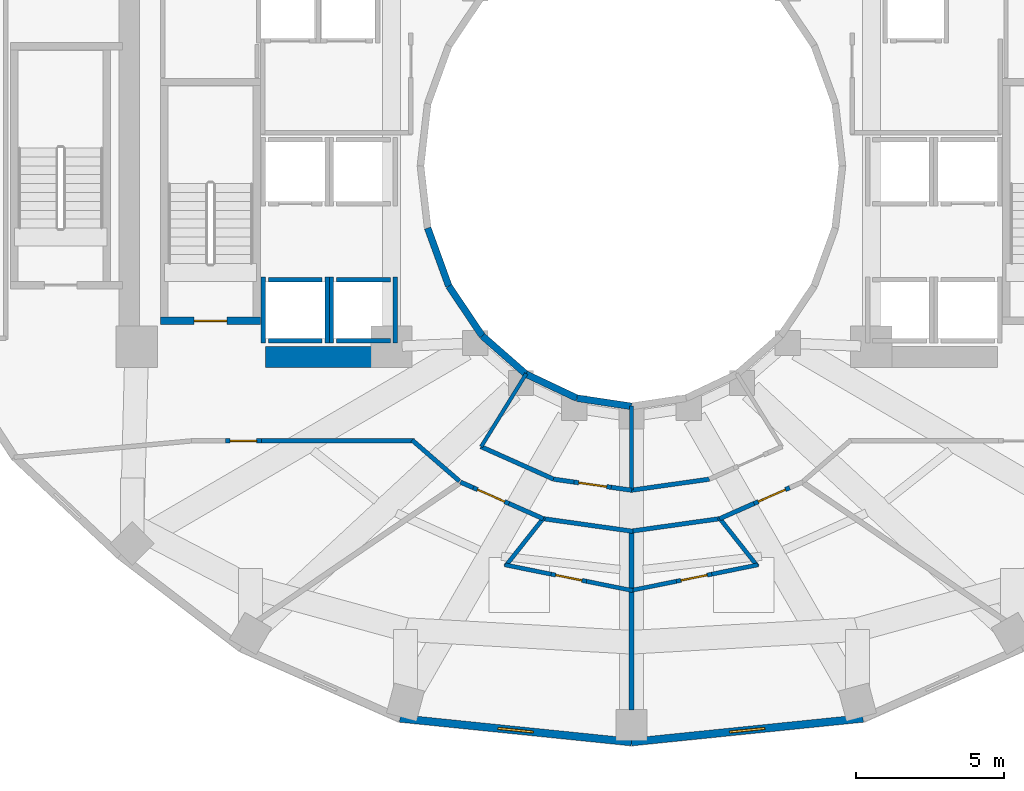
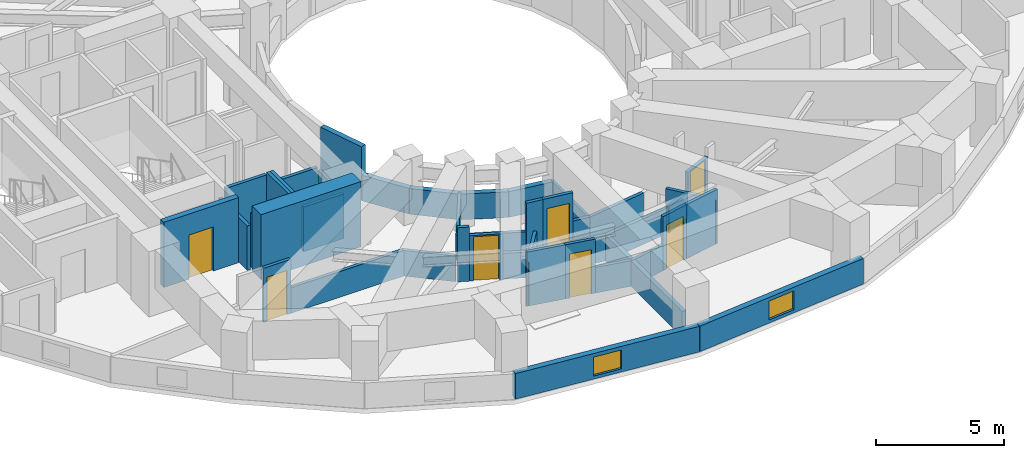
# One storey, part 3 of 9: 43 walls, 7 doors, 2 windows, 9 openings.
"""IFC4 building model written with IfcOpenShell, lengths in metres."""

from ifc_helpers import new_model, si_unit, direction, frame, frame_2d, origin, place, context, subcontext, project, spatial, rectangle, extrude, material, layer, layer_set, type_object, element, fill, save


model = new_model("IFC4")

# Units and contexts
model_context = context("Model", 3, precision=1e-05, world=origin(), true_north=direction((0.0, 1.0)))
body_context = subcontext(model_context, "Body", "Model", "MODEL_VIEW")
ifc_project = project(units=[si_unit("LENGTHUNIT", "METRE"), si_unit("AREAUNIT", "SQUARE_METRE"), si_unit("VOLUMEUNIT", "CUBIC_METRE"), si_unit("PLANEANGLEUNIT", "RADIAN"), si_unit("MASSUNIT", "GRAM", prefix="KILO")], contexts=[model_context])

# Site, building, storey
site_placement = place(None, origin())
site = spatial("IfcSite", under=ifc_project, at=site_placement, CompositionType="ELEMENT")
building_placement = place(site_placement, origin())
building = spatial("IfcBuilding", under=site, at=building_placement, Name="Solvane Sanctuary Tower", CompositionType="ELEMENT")
storey_placement = place(building_placement, frame((0.0, 0.0, 110.39990234375)))
storey = spatial("IfcBuildingStorey", under=building, at=storey_placement, Name="L33", CompositionType="ELEMENT", Elevation=110.39990234375)

# Walls
ifc_material_1 = material(Name="Concrete C60/75", Category="concrete")
ifc_layer_1 = layer(ifc_material_1, 0.699951171875, Name="Concrete C60/75")
ifc_layer_set_1 = layer_set([ifc_layer_1], Name="Concrete C60/75")
wall_type_1 = type_object("IfcWallType", Name="Wall W-CORE-700", PredefinedType="SHEAR", material=ifc_layer_set_1)
wall_1_placement = place(storey_placement, frame((19.64990234375, 16.550048828125, 0.0), z_axis=(0.0, 0.0, 1.0), x_axis=(1.0, 0.0, 0.0)))
element("IfcWall", 1, at=wall_1_placement, inside=storey, type_object=wall_type_1, Name="L33 Core Shear Wall WC-S", PredefinedType="SHEAR", context=body_context, shape_type="SweptSolid", body=[
    extrude(rectangle(XDim=4.5, YDim=0.699951171875, at=frame_2d((2.25, 0.0))), origin(), (0.0, 0.0, 1.0), 3.10009765625),
])
ifc_material_2 = material(Name="Acoustic Gypsum Partition Board")
ifc_layer_2 = layer(ifc_material_2, 0.14990234375, Name="Acoustic Gypsum Partition Board")
ifc_layer_set_2 = layer_set([ifc_layer_2], Name="Acoustic Gypsum Partition Board")
wall_type_2 = type_object("IfcWallType", Name="Wall W-CORR-150", PredefinedType="PARTITIONING", material=ifc_layer_set_2)
wall_2_placement = place(storey_placement, frame((26.193359375, 12.35791015625, 0.0), z_axis=(0.0, 0.0, 1.0), x_axis=(-0.756055312247, 0.654507727092, 0.0)))
element("IfcWall", 2, at=wall_2_placement, inside=storey, type_object=wall_type_2, Name="L33 SW Corner Throat Wall", PredefinedType="PARTITIONING", context=body_context, shape_type="SweptSolid", body=[
    extrude(rectangle(XDim=2.11083984375, YDim=0.14990234375, at=frame_2d((1.055419921875, 0.0))), origin(), (0.0, 0.0, 1.0), 1.22021484375),
])

# Wall, opening, door
wall_3_placement = place(storey_placement, frame((18.2900390625, 13.719970703125, 0.0), z_axis=(0.0, 0.0, 1.0), x_axis=(1.0, 0.0, 0.0)))
wall_3 = element("IfcWall", 3, at=wall_3_placement, inside=storey, type_object=wall_type_2, Name="L33 SW Corner Corridor Wall", PredefinedType="PARTITIONING", context=body_context, shape_type="SweptSolid", body=[
    extrude(rectangle(XDim=1.219970703125, YDim=0.14990234375, at=frame_2d((0.60986328125, 0.0))), origin(), (0.0, 0.0, 1.0), 2.5751953125),
])
opening_1_placement = place(wall_3_placement, frame((0.159912109375, 0.0, 0.0)))
opening_1 = element("IfcOpeningElement", 4, at=opening_1_placement, cuts=wall_3, Name="Opening D-L33-13", PredefinedType="OPENING", context=body_context, shape_type="SweptSolid", body=[
    extrude(rectangle(XDim=0.89990234375, YDim=2.10009765625, at=frame_2d((0.449951171875, 1.050048828125))), frame((0.0, 0.0849609375, 0.0), z_axis=(0.0, -1.0, 0.0), x_axis=(1.0, 0.0, 0.0)), (0.0, 0.0, 1.0), 0.169921875),
])
ifc_material_3 = material(Name="Engineered Tropical Hardwood", Category="wood")
door_type_1 = type_object("IfcDoorType", Name="Door D-WET-900", OperationType="NOTDEFINED", PredefinedType="DOOR", material=ifc_material_3)
door_1_placement = place(opening_1_placement, origin())
door_1 = element("IfcDoor", 5, at=door_1_placement, inside=storey, type_object=door_type_1, Name="L33 SW Corner Salon Door", OperationType="SINGLE_SWING_RIGHT", OverallHeight=2.10009765625, OverallWidth=0.89990234375, PredefinedType="DOOR", context=body_context, shape_type="SweptSolid", body=[
    extrude(rectangle(XDim=0.89990234375, YDim=2.10009765625, at=frame_2d((0.449951171875, 1.050048828125))), frame((0.0, 0.02490234375, 0.0), z_axis=(0.0, -1.0, 0.0), x_axis=(1.0, 0.0, 0.0)), (0.0, 0.0, 1.0), 0.050048828125),
])
fill(opening_1, door_1)

# Walls
wall_4_placement = place(storey_placement, frame((19.510009765625, 13.719970703125, 0.0), z_axis=(0.0, 0.0, 1.0), x_axis=(1.0, 0.0, 0.0)))
element("IfcWall", 6, at=wall_4_placement, inside=storey, type_object=wall_type_2, Name="L33 SW Corner Corridor Wall", PredefinedType="PARTITIONING", context=body_context, shape_type="SweptSolid", body=[
    extrude(rectangle(XDim=5.159912109375, YDim=0.14990234375, at=frame_2d((2.580078125, 0.0))), origin(), (0.0, 0.0, 1.0), 1.22021484375),
])
wall_5_placement = place(storey_placement, frame((26.9189453125, 13.520751953125, 0.0), z_axis=(0.0, 0.0, 1.0), x_axis=(0.912888568324, -0.408208845842, 0.0)))
element("IfcWall", 7, at=wall_5_placement, inside=storey, type_object=wall_type_2, Name="L33 Inner Light-Well Corridor Wall S1", PredefinedType="PARTITIONING", context=body_context, shape_type="SweptSolid", body=[
    extrude(rectangle(XDim=2.690185546875, YDim=0.14990234375, at=frame_2d((1.34521484375, 0.0))), origin(), (0.0, 0.0, 1.0), 1.22021484375),
])
wall_6_placement = place(storey_placement, frame((29.371337890625, 12.423583984375, 0.0), z_axis=(0.0, 0.0, 1.0), x_axis=(0.990110185172, -0.1402919143, 0.0)))
element("IfcWall", 8, at=wall_6_placement, inside=storey, type_object=wall_type_2, Name="L33 Inner Light-Well Corridor Wall S1", PredefinedType="PARTITIONING", context=body_context, shape_type="SweptSolid", body=[
    extrude(rectangle(XDim=0.696044921875, YDim=0.14990234375, at=frame_2d((0.34814453125, 0.0))), origin(), (0.0, 0.0, 1.0), 2.5751953125),
])

# Wall, opening, door
wall_7_placement = place(storey_placement, frame((30.060546875, 12.325927734375, 0.0), z_axis=(0.0, 0.0, 1.0), x_axis=(0.990102710588, -0.140344656064, 0.0)))
wall_7 = element("IfcWall", 9, at=wall_7_placement, inside=storey, type_object=wall_type_2, Name="L33 Inner Light-Well Corridor Wall S1", PredefinedType="PARTITIONING", context=body_context, shape_type="SweptSolid", body=[
    extrude(rectangle(XDim=1.269775390625, YDim=0.14990234375, at=frame_2d((0.634765625, 0.0))), origin(), (0.0, 0.0, 1.0), 2.5751953125),
])
opening_2_placement = place(wall_7_placement, frame((0.159912109375, 0.0, 0.0)))
opening_2 = element("IfcOpeningElement", 10, at=opening_2_placement, cuts=wall_7, Name="Opening D-L33-15", PredefinedType="OPENING", context=body_context, shape_type="SweptSolid", body=[
    extrude(rectangle(XDim=0.949951171875, YDim=2.10009765625, at=frame_2d((0.47509765625, 1.050048828125))), frame((0.0, 0.0849609375, 0.0), z_axis=(0.0, -1.0, 0.0), x_axis=(1.0, 0.0, 0.0)), (0.0, 0.0, 1.0), 0.169921875),
])
door_type_2 = type_object("IfcDoorType", Name="Door D-ROOM-950", OperationType="NOTDEFINED", PredefinedType="DOOR", material=ifc_material_3)
door_2_placement = place(opening_2_placement, origin())
door_2 = element("IfcDoor", 11, at=door_2_placement, inside=storey, type_object=door_type_2, Name="L33 Inner Light-Well Salon Door S1", OperationType="SINGLE_SWING_RIGHT", OverallHeight=2.10009765625, OverallWidth=0.949951171875, PredefinedType="DOOR", context=body_context, shape_type="SweptSolid", body=[
    extrude(rectangle(XDim=0.949951171875, YDim=2.10009765625, at=frame_2d((0.47509765625, 1.050048828125))), frame((0.0, 0.02490234375, 0.0), z_axis=(0.0, -1.0, 0.0), x_axis=(1.0, 0.0, 0.0)), (0.0, 0.0, 1.0), 0.050048828125),
])
fill(opening_2, door_2)

# Walls
wall_8_placement = place(storey_placement, frame((31.31787109375, 12.147705078125, 0.0), z_axis=(0.0, 0.0, 1.0), x_axis=(0.990110185172, -0.1402919143, 0.0)))
element("IfcWall", 12, at=wall_8_placement, inside=storey, type_object=wall_type_2, Name="L33 Inner Light-Well Corridor Wall S1", PredefinedType="PARTITIONING", context=body_context, shape_type="SweptSolid", body=[
    extrude(rectangle(XDim=0.696044921875, YDim=0.14990234375, at=frame_2d((0.34814453125, 0.0))), origin(), (0.0, 0.0, 1.0), 1.22021484375),
])
wall_9_placement = place(storey_placement, frame((31.992919921875, 12.050048828125, 0.0), z_axis=(0.0, 0.0, 1.0), x_axis=(0.990106619919, 0.140317073775, 0.0)))
element("IfcWall", 13, at=wall_9_placement, inside=storey, type_object=wall_type_2, Name="L33 Inner Light-Well Corridor Wall S2", PredefinedType="PARTITIONING", context=body_context, shape_type="SweptSolid", body=[
    extrude(rectangle(XDim=2.662109375, YDim=0.14990234375, at=frame_2d((1.3310546875, 0.0))), origin(), (0.0, 0.0, 1.0), 1.22021484375),
])
wall_10_placement = place(storey_placement, frame((28.96630859375, 11.09716796875, 0.0), z_axis=(0.0, 0.0, 1.0), x_axis=(0.990234434447, -0.139412211929, 0.0)))
element("IfcWall", 14, at=wall_10_placement, inside=storey, type_object=wall_type_2, Name="L33 En-suite Inner Wall S1", PredefinedType="PARTITIONING", context=body_context, shape_type="SweptSolid", body=[
    extrude(rectangle(XDim=3.11376953125, YDim=0.14990234375, at=frame_2d((1.556884765625, 0.0))), origin(), (0.0, 0.0, 1.0), 1.22021484375),
])
wall_11_placement = place(storey_placement, frame((26.22802734375, 12.326171875, 0.0), z_axis=(0.0, 0.0, 1.0), x_axis=(0.914387769504, -0.404839482983, 0.0)))
element("IfcWall", 15, at=wall_11_placement, inside=storey, type_object=wall_type_2, Name="L33 Unit Corridor Wall S1", PredefinedType="PARTITIONING", context=body_context, shape_type="SweptSolid", body=[
    extrude(rectangle(XDim=0.470947265625, YDim=0.14990234375, at=frame_2d((0.2353515625, 0.0))), origin(), (0.0, 0.0, 1.0), 2.5751953125),
])

# Wall, opening, door
wall_12_placement = place(storey_placement, frame((26.65869140625, 12.135498046875, 0.0), z_axis=(0.0, 0.0, 1.0), x_axis=(0.914314172667, -0.405005671145, 0.0)))
wall_12 = element("IfcWall", 16, at=wall_12_placement, inside=storey, type_object=wall_type_2, Name="L33 Unit Corridor Wall S1", PredefinedType="PARTITIONING", context=body_context, shape_type="SweptSolid", body=[
    extrude(rectangle(XDim=1.320068359375, YDim=0.14990234375, at=frame_2d((0.66015625, 0.0))), origin(), (0.0, 0.0, 1.0), 2.16015625),
])
opening_3_placement = place(wall_12_placement, frame((0.159912109375, 0.0, 0.0)))
opening_3 = element("IfcOpeningElement", 17, at=opening_3_placement, cuts=wall_12, Name="Opening D-L33-23", PredefinedType="OPENING", context=body_context, shape_type="SweptSolid", body=[
    extrude(rectangle(XDim=1.0, YDim=2.10009765625, at=frame_2d((0.5, 1.050048828125))), frame((0.0, 0.0849609375, 0.0), z_axis=(0.0, -1.0, 0.0), x_axis=(1.0, 0.0, 0.0)), (0.0, 0.0, 1.0), 0.169921875),
])
door_type_3 = type_object("IfcDoorType", Name="Door D-UNIT", OperationType="NOTDEFINED", PredefinedType="DOOR", material=ifc_material_3)
door_3_placement = place(opening_3_placement, origin())
door_3 = element("IfcDoor", 18, at=door_3_placement, inside=storey, type_object=door_type_3, Name="L33 Unit Entrance Door S1", OperationType="SINGLE_SWING_RIGHT", OverallHeight=2.10009765625, OverallWidth=1.0, PredefinedType="DOOR", context=body_context, shape_type="SweptSolid", body=[
    extrude(rectangle(XDim=1.0, YDim=2.10009765625, at=frame_2d((0.5, 1.050048828125))), frame((0.0, 0.02490234375, 0.0), z_axis=(0.0, -1.0, 0.0), x_axis=(1.0, 0.0, 0.0)), (0.0, 0.0, 1.0), 0.050048828125),
])
fill(opening_3, door_3)

# Walls
wall_13_placement = place(storey_placement, frame((27.86572265625, 11.600830078125, 0.0), z_axis=(0.0, 0.0, 1.0), x_axis=(0.914311660367, -0.405011342701, 0.0)))
element("IfcWall", 19, at=wall_13_placement, inside=storey, type_object=wall_type_2, Name="L33 Unit Corridor Wall S1", PredefinedType="PARTITIONING", context=body_context, shape_type="SweptSolid", body=[
    extrude(rectangle(XDim=1.2666015625, YDim=0.14990234375, at=frame_2d((0.63330078125, 0.0))), origin(), (0.0, 0.0, 1.0), 1.22021484375),
])
wall_14_placement = place(storey_placement, frame((31.950439453125, 10.6630859375, 0.0), z_axis=(0.0, 0.0, 1.0), x_axis=(0.990234434447, 0.139412211929, 0.0)))
element("IfcWall", 20, at=wall_14_placement, inside=storey, type_object=wall_type_2, Name="L33 En-suite Inner Wall S2", PredefinedType="PARTITIONING", context=body_context, shape_type="SweptSolid", body=[
    extrude(rectangle(XDim=3.11376953125, YDim=0.14990234375, at=frame_2d((1.556884765625, 0.0))), origin(), (0.0, 0.0, 1.0), 1.22021484375),
])
wall_15_placement = place(storey_placement, frame((34.976318359375, 11.087890625, 0.0), z_axis=(0.0, 0.0, 1.0), x_axis=(0.914311660367, 0.405011342701, 0.0)))
element("IfcWall", 21, at=wall_15_placement, inside=storey, type_object=wall_type_2, Name="L33 Unit Corridor Wall S2", PredefinedType="PARTITIONING", context=body_context, shape_type="SweptSolid", body=[
    extrude(rectangle(XDim=1.2666015625, YDim=0.14990234375, at=frame_2d((0.63330078125, 0.0))), origin(), (0.0, 0.0, 1.0), 1.22021484375),
])

# Wall, opening, door
wall_16_placement = place(storey_placement, frame((36.13427734375, 11.600830078125, 0.0), z_axis=(0.0, 0.0, 1.0), x_axis=(0.914314172667, 0.405005671145, 0.0)))
wall_16 = element("IfcWall", 22, at=wall_16_placement, inside=storey, type_object=wall_type_2, Name="L33 Unit Corridor Wall S2", PredefinedType="PARTITIONING", context=body_context, shape_type="SweptSolid", body=[
    extrude(rectangle(XDim=1.320068359375, YDim=0.14990234375, at=frame_2d((0.66015625, 0.0))), origin(), (0.0, 0.0, 1.0), 2.16015625),
])
opening_4_placement = place(wall_16_placement, frame((0.159912109375, 0.0, 0.0)))
opening_4 = element("IfcOpeningElement", 23, at=opening_4_placement, cuts=wall_16, Name="Opening D-L33-25", PredefinedType="OPENING", context=body_context, shape_type="SweptSolid", body=[
    extrude(rectangle(XDim=1.0, YDim=2.10009765625, at=frame_2d((0.5, 1.050048828125))), frame((0.0, 0.0849609375, 0.0), z_axis=(0.0, -1.0, 0.0), x_axis=(1.0, 0.0, 0.0)), (0.0, 0.0, 1.0), 0.169921875),
])
door_4_placement = place(opening_4_placement, origin())
door_4 = element("IfcDoor", 24, at=door_4_placement, inside=storey, type_object=door_type_3, Name="L33 Unit Entrance Door S2", OperationType="SINGLE_SWING_RIGHT", OverallHeight=2.10009765625, OverallWidth=1.0, PredefinedType="DOOR", context=body_context, shape_type="SweptSolid", body=[
    extrude(rectangle(XDim=1.0, YDim=2.10009765625, at=frame_2d((0.5, 1.050048828125))), frame((0.0, 0.02490234375, 0.0), z_axis=(0.0, -1.0, 0.0), x_axis=(1.0, 0.0, 0.0)), (0.0, 0.0, 1.0), 0.050048828125),
])
fill(opening_4, door_4)

# Wall, opening, window
ifc_material_4 = material(Name="Precast concrete C40/50", Category="concrete")
ifc_layer_3 = layer(ifc_material_4, 0.260009765625, Name="Precast concrete C40/50")
ifc_layer_set_3 = layer_set([ifc_layer_3], Name="Precast concrete C40/50")
wall_type_3 = type_object("IfcWallType", Name="Wall W-EXT-250", PredefinedType="STANDARD", material=ifc_layer_set_3)
wall_17_placement = place(storey_placement, frame((24.18359375, 4.349365234375, 0.0), z_axis=(0.0, 0.0, 1.0), x_axis=(0.994821390558, -0.101638579726, 0.0)))
wall_17 = element("IfcWall", 25, at=wall_17_placement, inside=storey, type_object=wall_type_3, Name="L33 Ceramic-Printed Facade Wall 17", PredefinedType="STANDARD", context=body_context, shape_type="SweptSolid", body=[
    extrude(rectangle(XDim=7.857177734375, YDim=0.260009765625, at=frame_2d((3.9287109375, 0.0))), origin(), (0.0, 0.0, 1.0), 1.22021484375),
])
opening_5_placement = place(wall_17_placement, frame((3.32861328125, 0.0, 0.14990234375)))
opening_5 = element("IfcOpeningElement", 26, at=opening_5_placement, cuts=wall_17, Name="Opening WN-OPER-1200", PredefinedType="OPENING", context=body_context, shape_type="SweptSolid", body=[
    extrude(rectangle(XDim=1.199951171875, YDim=0.89990234375, at=frame_2d((0.60009765625, 0.449951171875))), frame((0.0, 0.139892578125, 0.0), z_axis=(0.0, -1.0, 0.0), x_axis=(1.0, 0.0, 0.0)), (0.0, 0.0, 1.0), 0.280029296875),
])
ifc_material_5 = material(Name="Dark Ceramic-Fritted Low-E Glass", Category="glass")
window_type = type_object("IfcWindowType", Name="Window WN-OPER-1200", PartitioningType="SINGLE_PANEL", PredefinedType="WINDOW", material=ifc_material_5)
window_1_placement = place(opening_5_placement, origin())
window_1 = element("IfcWindow", 27, at=window_1_placement, inside=storey, type_object=window_type, Name="L33 Operable Facade Window 17", OverallHeight=0.89990234375, OverallWidth=1.199951171875, PartitioningType="SINGLE_PANEL", PredefinedType="WINDOW", context=body_context, shape_type="SweptSolid", body=[
    extrude(rectangle(XDim=1.199951171875, YDim=0.89990234375, at=frame_2d((0.60009765625, 0.449951171875))), frame((0.0, 0.030029296875, 0.0), z_axis=(0.0, -1.0, 0.0), x_axis=(1.0, 0.0, 0.0)), (0.0, 0.0, 1.0), 0.06005859375),
])
fill(opening_5, window_1)

wall_18_placement = place(storey_placement, frame((32.0, 3.55078125, 0.0), z_axis=(0.0, 0.0, 1.0), x_axis=(0.994821390558, 0.101638579726, 0.0)))
wall_18 = element("IfcWall", 28, at=wall_18_placement, inside=storey, type_object=wall_type_3, Name="L33 Ceramic-Printed Facade Wall 18", PredefinedType="STANDARD", context=body_context, shape_type="SweptSolid", body=[
    extrude(rectangle(XDim=7.857177734375, YDim=0.260009765625, at=frame_2d((3.9287109375, 0.0))), origin(), (0.0, 0.0, 1.0), 1.22021484375),
])
opening_6_placement = place(wall_18_placement, frame((3.32861328125, 0.0, 0.14990234375)))
opening_6 = element("IfcOpeningElement", 29, at=opening_6_placement, cuts=wall_18, Name="Opening WN-OPER-1200", PredefinedType="OPENING", context=body_context, shape_type="SweptSolid", body=[
    extrude(rectangle(XDim=1.199951171875, YDim=0.89990234375, at=frame_2d((0.60009765625, 0.449951171875))), frame((0.0, 0.139892578125, 0.0), z_axis=(0.0, -1.0, 0.0), x_axis=(1.0, 0.0, 0.0)), (0.0, 0.0, 1.0), 0.280029296875),
])
window_2_placement = place(opening_6_placement, origin())
window_2 = element("IfcWindow", 30, at=window_2_placement, inside=storey, type_object=window_type, Name="L33 Operable Facade Window 18", OverallHeight=0.89990234375, OverallWidth=1.199951171875, PartitioningType="SINGLE_PANEL", PredefinedType="WINDOW", context=body_context, shape_type="SweptSolid", body=[
    extrude(rectangle(XDim=1.199951171875, YDim=0.89990234375, at=frame_2d((0.60009765625, 0.449951171875))), frame((0.0, 0.030029296875, 0.0), z_axis=(0.0, -1.0, 0.0), x_axis=(1.0, 0.0, 0.0)), (0.0, 0.0, 1.0), 0.06005859375),
])
fill(opening_6, window_2)

# Walls
ifc_layer_4 = layer(ifc_material_4, 0.22998046875, Name="Precast concrete C40/50")
ifc_layer_set_4 = layer_set([ifc_layer_4], Name="Precast concrete C40/50")
wall_type_4 = type_object("IfcWallType", Name="Wall W-EXT-SP220", PredefinedType="STANDARD", material=ifc_layer_set_4)
wall_19_placement = place(storey_placement, frame((25.12255859375, 20.8984375, 0.0), z_axis=(0.0, 0.0, 1.0), x_axis=(0.341423187295, -0.93990968033, 0.0)))
element("IfcWall", 31, at=wall_19_placement, inside=storey, type_object=wall_type_4, Name="L33 Central Light-Well Wall 13", PredefinedType="STANDARD", context=body_context, shape_type="SweptSolid", body=[
    extrude(rectangle(XDim=2.083740234375, YDim=0.22998046875, at=frame_2d((1.0419921875, 0.0))), origin(), (0.0, 0.0, 1.0), 2.56005859375),
])
wall_20_placement = place(storey_placement, frame((25.833984375, 18.93994140625, 0.0), z_axis=(0.0, 0.0, 1.0), x_axis=(0.558197800898, -0.829707909492, 0.0)))
element("IfcWall", 32, at=wall_20_placement, inside=storey, type_object=wall_type_4, Name="L33 Central Light-Well Wall 14", PredefinedType="STANDARD", context=body_context, shape_type="SweptSolid", body=[
    extrude(rectangle(XDim=2.02685546875, YDim=0.22998046875, at=frame_2d((1.013427734375, 0.0))), origin(), (0.0, 0.0, 1.0), 1.22021484375),
])
wall_21_placement = place(storey_placement, frame((26.96533203125, 17.25830078125, 0.0), z_axis=(0.0, 0.0, 1.0), x_axis=(0.752576694707, -0.658504607869, 0.0)))
element("IfcWall", 33, at=wall_21_placement, inside=storey, type_object=wall_type_4, Name="L33 Central Light-Well Wall 15", PredefinedType="STANDARD", context=body_context, shape_type="SweptSolid", body=[
    extrude(rectangle(XDim=1.95947265625, YDim=0.22998046875, at=frame_2d((0.979736328125, 0.0))), origin(), (0.0, 0.0, 1.0), 1.22021484375),
])
wall_22_placement = place(storey_placement, frame((28.43994140625, 15.968017578125, 0.0), z_axis=(0.0, 0.0, 1.0), x_axis=(0.904179699603, -0.427152280606, 0.0)))
element("IfcWall", 34, at=wall_22_placement, inside=storey, type_object=wall_type_4, Name="L33 Central Light-Well Wall 16", PredefinedType="STANDARD", context=body_context, shape_type="SweptSolid", body=[
    extrude(rectangle(XDim=1.899169921875, YDim=0.22998046875, at=frame_2d((0.94970703125, 0.0))), origin(), (0.0, 0.0, 1.0), 1.22021484375),
])
wall_23_placement = place(storey_placement, frame((30.1572265625, 15.15673828125, 0.0), z_axis=(0.0, 0.0, 1.0), x_axis=(0.988901730308, -0.148571086668, 0.0)))
element("IfcWall", 35, at=wall_23_placement, inside=storey, type_object=wall_type_4, Name="L33 Central Light-Well Wall 17", PredefinedType="STANDARD", context=body_context, shape_type="SweptSolid", body=[
    extrude(rectangle(XDim=1.863525390625, YDim=0.22998046875, at=frame_2d((0.931640625, 0.0))), origin(), (0.0, 0.0, 1.0), 1.22021484375),
])
ifc_layer_5 = layer(ifc_material_2, 0.125, Name="Acoustic Gypsum Partition Board")
ifc_layer_set_5 = layer_set([ifc_layer_5], Name="Acoustic Gypsum Partition Board")
wall_type_5 = type_object("IfcWallType", Name="Wall W-PART-125", PredefinedType="PARTITIONING", material=ifc_layer_set_5)
wall_24_placement = place(storey_placement, frame((28.449951171875, 15.985107421875, 0.0), z_axis=(0.0, 0.0, 1.0), x_axis=(-0.525627246902, -0.850714991824, 0.0)))
element("IfcWall", 36, at=wall_24_placement, inside=storey, type_object=wall_type_5, Name="L33 Inner Light-Well Radial Wall 240", PredefinedType="PARTITIONING", context=body_context, shape_type="SweptSolid", body=[
    extrude(rectangle(XDim=2.901123046875, YDim=0.125, at=frame_2d((1.45068359375, 0.0))), origin(), (0.0, 0.0, 1.0), 1.22021484375),
])
wall_25_placement = place(storey_placement, frame((32.0, 14.89990234375, 0.0), z_axis=(0.0, 0.0, 1.0), x_axis=(0.0, -1.0, 0.0)))
element("IfcWall", 37, at=wall_25_placement, inside=storey, type_object=wall_type_5, Name="L33 Inner Light-Well Radial Wall 270", PredefinedType="PARTITIONING", context=body_context, shape_type="SweptSolid", body=[
    extrude(rectangle(XDim=2.849853515625, YDim=0.125, at=frame_2d((1.4248046875, 0.0))), origin(), (0.0, 0.0, 1.0), 1.22021484375),
])
ifc_material_6 = material(Name="Concrete C50/60", Category="concrete")
ifc_layer_6 = layer(ifc_material_6, 0.14990234375, Name="Concrete C50/60")
ifc_layer_set_6 = layer_set([ifc_layer_6], Name="Concrete C50/60")
wall_type_6 = type_object("IfcWallType", Name="Wall W-SHAFT-150", PredefinedType="SOLIDWALL", material=ifc_layer_set_6)
for number, where, z_axis, x_axis, name in (
    (38, (19.739990234375, 19.159912109375, 0.0), (0.0, 0.0, 1.0), (1.0, 0.0, 0.0), "L33 PL-1 Lift Shaft Wall F"),
    (39, (19.739990234375, 17.10009765625, 0.0), (0.0, 0.0, 1.0), (1.0, 0.0, 0.0), "L33 PL-1 Lift Shaft Wall B"),
):
    element("IfcWall", number, at=place(storey_placement, frame(where, z_axis=z_axis, x_axis=x_axis)), inside=storey, type_object=wall_type_6, Name=name, PredefinedType="SOLIDWALL", context=body_context, shape_type="SweptSolid", body=[
        extrude(rectangle(XDim=1.820068359375, YDim=0.14990234375, at=frame_2d((0.91015625, 0.0))), origin(), (0.0, 0.0, 1.0), 2.5751953125),
    ])
wall_26_placement = place(storey_placement, frame((19.570068359375, 17.02001953125, 0.0), z_axis=(0.0, 0.0, 1.0), x_axis=(0.0, 1.0, 0.0)))
element("IfcWall", 40, at=wall_26_placement, inside=storey, type_object=wall_type_6, Name="L33 PL-1 Lift Shaft Wall S1", PredefinedType="SOLIDWALL", context=body_context, shape_type="SweptSolid", body=[
    extrude(rectangle(XDim=2.219970703125, YDim=0.14990234375, at=frame_2d((1.10986328125, 0.0))), origin(), (0.0, 0.0, 1.0), 2.1201171875),
])
wall_27_placement = place(storey_placement, frame((21.72998046875, 17.02001953125, 0.0), z_axis=(0.0, 0.0, 1.0), x_axis=(0.0, 1.0, 0.0)))
element("IfcWall", 41, at=wall_27_placement, inside=storey, type_object=wall_type_6, Name="L33 PL-1 Lift Shaft Wall S2", PredefinedType="SOLIDWALL", context=body_context, shape_type="SweptSolid", body=[
    extrude(rectangle(XDim=2.219970703125, YDim=0.14990234375, at=frame_2d((1.10986328125, 0.0))), origin(), (0.0, 0.0, 1.0), 2.5751953125),
])
for number, where, z_axis, x_axis, name in (
    (42, (22.0400390625, 19.159912109375, 0.0), (0.0, 0.0, 1.0), (1.0, 0.0, 0.0), "L33 PL-2 Lift Shaft Wall F"),
    (43, (22.0400390625, 17.10009765625, 0.0), (0.0, 0.0, 1.0), (1.0, 0.0, 0.0), "L33 PL-2 Lift Shaft Wall B"),
):
    element("IfcWall", number, at=place(storey_placement, frame(where, z_axis=z_axis, x_axis=x_axis)), inside=storey, type_object=wall_type_6, Name=name, PredefinedType="SOLIDWALL", context=body_context, shape_type="SweptSolid", body=[
        extrude(rectangle(XDim=1.820068359375, YDim=0.14990234375, at=frame_2d((0.91015625, 0.0))), origin(), (0.0, 0.0, 1.0), 2.1201171875),
    ])
wall_28_placement = place(storey_placement, frame((21.8701171875, 17.02001953125, 0.0), z_axis=(0.0, 0.0, 1.0), x_axis=(0.0, 1.0, 0.0)))
element("IfcWall", 44, at=wall_28_placement, inside=storey, type_object=wall_type_6, Name="L33 PL-2 Lift Shaft Wall S1", PredefinedType="SOLIDWALL", context=body_context, shape_type="SweptSolid", body=[
    extrude(rectangle(XDim=2.219970703125, YDim=0.14990234375, at=frame_2d((1.10986328125, 0.0))), origin(), (0.0, 0.0, 1.0), 2.5751953125),
])
wall_29_placement = place(storey_placement, frame((24.030029296875, 17.02001953125, 0.0), z_axis=(0.0, 0.0, 1.0), x_axis=(0.0, 1.0, 0.0)))
element("IfcWall", 45, at=wall_29_placement, inside=storey, type_object=wall_type_6, Name="L33 PL-2 Lift Shaft Wall S2", PredefinedType="SOLIDWALL", context=body_context, shape_type="SweptSolid", body=[
    extrude(rectangle(XDim=2.219970703125, YDim=0.14990234375, at=frame_2d((1.10986328125, 0.0))), origin(), (0.0, 0.0, 1.0), 1.873046875),
])

# Wall, opening, door
ifc_layer_7 = layer(ifc_material_6, 0.25, Name="Concrete C50/60")
ifc_layer_set_7 = layer_set([ifc_layer_7], Name="Concrete C50/60")
wall_type_7 = type_object("IfcWallType", Name="Wall W-SHAFT-250", PredefinedType="SOLIDWALL", material=ifc_layer_set_7)
wall_30_placement = place(storey_placement, frame((16.10498046875, 17.77001953125, 0.0), z_axis=(0.0, 0.0, 1.0), x_axis=(1.0, 0.0, 0.0)))
wall_30 = element("IfcWall", 46, at=wall_30_placement, inside=storey, type_object=wall_type_7, Name="L33 ST-1 Load-Bearing Shaft Wall S", PredefinedType="SOLIDWALL", context=body_context, shape_type="SweptSolid", body=[
    extrude(rectangle(XDim=3.3701171875, YDim=0.25, at=frame_2d((1.68505859375, 0.0))), origin(), (0.0, 0.0, 1.0), 3.10009765625),
])
opening_7_placement = place(wall_30_placement, frame((1.135009765625, 0.0, 0.0)))
opening_7 = element("IfcOpeningElement", 47, at=opening_7_placement, cuts=wall_30, Name="Opening D-L33-01", PredefinedType="OPENING", context=body_context, shape_type="SweptSolid", body=[
    extrude(rectangle(XDim=1.10009765625, YDim=2.10009765625, at=frame_2d((0.550048828125, 1.050048828125))), frame((0.0, 0.135009765625, 0.0), z_axis=(0.0, -1.0, 0.0), x_axis=(1.0, 0.0, 0.0)), (0.0, 0.0, 1.0), 0.27001953125),
])
ifc_material_7 = material(Name="Architectural Stainless Steel 316", Category="steel")
door_type_4 = type_object("IfcDoorType", Name="Door D-STAIR", OperationType="NOTDEFINED", PredefinedType="DOOR", material=ifc_material_7)
door_5_placement = place(opening_7_placement, origin())
door_5 = element("IfcDoor", 48, at=door_5_placement, inside=storey, type_object=door_type_4, Name="L33 ST-1 Exit Stair Fire Door", OperationType="SINGLE_SWING_LEFT", OverallHeight=2.10009765625, OverallWidth=1.10009765625, PredefinedType="DOOR", context=body_context, shape_type="SweptSolid", body=[
    extrude(rectangle(XDim=1.10009765625, YDim=2.10009765625, at=frame_2d((0.550048828125, 1.050048828125))), frame((0.0, 0.02490234375, 0.0), z_axis=(0.0, -1.0, 0.0), x_axis=(1.0, 0.0, 0.0)), (0.0, 0.0, 1.0), 0.050048828125),
])
fill(opening_7, door_5)

# Walls
ifc_layer_8 = layer(ifc_material_2, 0.179931640625, Name="Acoustic Gypsum Partition Board")
ifc_layer_set_8 = layer_set([ifc_layer_8], Name="Acoustic Gypsum Partition Board")
wall_type_8 = type_object("IfcWallType", Name="Wall W-UNIT-180", PredefinedType="PARTITIONING", material=ifc_layer_set_8)
wall_31_placement = place(storey_placement, frame((32.0, 10.614990234375, 0.0), z_axis=(0.0, 0.0, 1.0), x_axis=(0.0, -1.0, 0.0)))
element("IfcWall", 49, at=wall_31_placement, inside=storey, type_object=wall_type_8, Name="L33 Radial Compartment Wall 270", PredefinedType="PARTITIONING", context=body_context, shape_type="SweptSolid", body=[
    extrude(rectangle(XDim=5.989990234375, YDim=0.179931640625, at=frame_2d((2.9951171875, 0.0))), origin(), (0.0, 0.0, 1.0), 1.22021484375),
])
ifc_layer_9 = layer(ifc_material_2, 0.139892578125, Name="Acoustic Gypsum Partition Board")
ifc_layer_set_9 = layer_set([ifc_layer_9], Name="Acoustic Gypsum Partition Board")
wall_type_9 = type_object("IfcWallType", Name="Wall W-WET-140", PredefinedType="PLUMBINGWALL", material=ifc_layer_set_9)
wall_32_placement = place(storey_placement, frame((29.046875, 11.12939453125, 0.0), z_axis=(0.0, 0.0, 1.0), x_axis=(-0.620702944366, -0.784045824462, 0.0)))
element("IfcWall", 50, at=wall_32_placement, inside=storey, type_object=wall_type_9, Name="L33 En-suite Side Partition S1", PredefinedType="PLUMBINGWALL", context=body_context, shape_type="SweptSolid", body=[
    extrude(rectangle(XDim=2.10009765625, YDim=0.139892578125, at=frame_2d((1.050048828125, 0.0))), origin(), (0.0, 0.0, 1.0), 2.10498046875),
])
wall_33_placement = place(storey_placement, frame((27.725341796875, 9.531982421875, 0.0), z_axis=(0.0, 0.0, 1.0), x_axis=(0.980261572321, -0.197704956516, 0.0)))
element("IfcWall", 51, at=wall_33_placement, inside=storey, type_object=wall_type_9, Name="L33 En-suite Bedroom Wall S1", PredefinedType="PLUMBINGWALL", context=body_context, shape_type="SweptSolid", body=[
    extrude(rectangle(XDim=1.595458984375, YDim=0.139892578125, at=frame_2d((0.7978515625, 0.0))), origin(), (0.0, 0.0, 1.0), 2.5751953125),
])

# Wall, opening, door
wall_34_placement = place(storey_placement, frame((29.289306640625, 9.216552734375, 0.0), z_axis=(0.0, 0.0, 1.0), x_axis=(0.980256050043, -0.197732335125, 0.0)))
wall_34 = element("IfcWall", 52, at=wall_34_placement, inside=storey, type_object=wall_type_9, Name="L33 En-suite Bedroom Wall S1", PredefinedType="PLUMBINGWALL", context=body_context, shape_type="SweptSolid", body=[
    extrude(rectangle(XDim=1.219970703125, YDim=0.139892578125, at=frame_2d((0.60986328125, 0.0))), origin(), (0.0, 0.0, 1.0), 2.5751953125),
])
opening_8_placement = place(wall_34_placement, frame((0.159912109375, 0.0, 0.0)))
opening_8 = element("IfcOpeningElement", 53, at=opening_8_placement, cuts=wall_34, Name="Opening D-L33-22", PredefinedType="OPENING", context=body_context, shape_type="SweptSolid", body=[
    extrude(rectangle(XDim=0.89990234375, YDim=2.10009765625, at=frame_2d((0.449951171875, 1.050048828125))), frame((0.0, 0.079833984375, 0.0), z_axis=(0.0, -1.0, 0.0), x_axis=(1.0, 0.0, 0.0)), (0.0, 0.0, 1.0), 0.159912109375),
])
door_6_placement = place(opening_8_placement, origin())
door_6 = element("IfcDoor", 54, at=door_6_placement, inside=storey, type_object=door_type_1, Name="L33 En-suite Bathroom Door S1", OperationType="SINGLE_SWING_LEFT", OverallHeight=2.10009765625, OverallWidth=0.89990234375, PredefinedType="DOOR", context=body_context, shape_type="SweptSolid", body=[
    extrude(rectangle(XDim=0.89990234375, YDim=2.10009765625, at=frame_2d((0.449951171875, 1.050048828125))), frame((0.0, 0.02490234375, 0.0), z_axis=(0.0, -1.0, 0.0), x_axis=(1.0, 0.0, 0.0)), (0.0, 0.0, 1.0), 0.050048828125),
])
fill(opening_8, door_6)

# Walls
wall_35_placement = place(storey_placement, frame((30.485107421875, 8.975341796875, 0.0), z_axis=(0.0, 0.0, 1.0), x_axis=(0.980291218326, -0.197557908657, 0.0)))
element("IfcWall", 55, at=wall_35_placement, inside=storey, type_object=wall_type_9, Name="L33 En-suite Bedroom Wall S1", PredefinedType="PLUMBINGWALL", context=body_context, shape_type="SweptSolid", body=[
    extrude(rectangle(XDim=1.595458984375, YDim=0.139892578125, at=frame_2d((0.7978515625, 0.0))), origin(), (0.0, 0.0, 1.0), 1.22021484375),
])
wall_36_placement = place(storey_placement, frame((34.953125, 11.12939453125, 0.0), z_axis=(0.0, 0.0, 1.0), x_axis=(0.620702944366, -0.784045824462, 0.0)))
element("IfcWall", 56, at=wall_36_placement, inside=storey, type_object=wall_type_9, Name="L33 En-suite Side Partition S2", PredefinedType="PLUMBINGWALL", context=body_context, shape_type="SweptSolid", body=[
    extrude(rectangle(XDim=2.10009765625, YDim=0.139892578125, at=frame_2d((1.050048828125, 0.0))), origin(), (0.0, 0.0, 1.0), 2.10498046875),
])
wall_37_placement = place(storey_placement, frame((31.950927734375, 8.66015625, 0.0), z_axis=(0.0, 0.0, 1.0), x_axis=(0.980291218326, 0.197557908657, 0.0)))
element("IfcWall", 57, at=wall_37_placement, inside=storey, type_object=wall_type_9, Name="L33 En-suite Bedroom Wall S2", PredefinedType="PLUMBINGWALL", context=body_context, shape_type="SweptSolid", body=[
    extrude(rectangle(XDim=1.595458984375, YDim=0.139892578125, at=frame_2d((0.7978515625, 0.0))), origin(), (0.0, 0.0, 1.0), 1.22021484375),
])

# Wall, opening, door
wall_38_placement = place(storey_placement, frame((33.514892578125, 8.975341796875, 0.0), z_axis=(0.0, 0.0, 1.0), x_axis=(0.980256050043, 0.197732335125, 0.0)))
wall_38 = element("IfcWall", 58, at=wall_38_placement, inside=storey, type_object=wall_type_9, Name="L33 En-suite Bedroom Wall S2", PredefinedType="PLUMBINGWALL", context=body_context, shape_type="SweptSolid", body=[
    extrude(rectangle(XDim=1.219970703125, YDim=0.139892578125, at=frame_2d((0.60986328125, 0.0))), origin(), (0.0, 0.0, 1.0), 2.5751953125),
])
opening_9_placement = place(wall_38_placement, frame((0.159912109375, 0.0, 0.0)))
opening_9 = element("IfcOpeningElement", 59, at=opening_9_placement, cuts=wall_38, Name="Opening D-L33-24", PredefinedType="OPENING", context=body_context, shape_type="SweptSolid", body=[
    extrude(rectangle(XDim=0.89990234375, YDim=2.10009765625, at=frame_2d((0.449951171875, 1.050048828125))), frame((0.0, 0.079833984375, 0.0), z_axis=(0.0, -1.0, 0.0), x_axis=(1.0, 0.0, 0.0)), (0.0, 0.0, 1.0), 0.159912109375),
])
door_7_placement = place(opening_9_placement, origin())
door_7 = element("IfcDoor", 60, at=door_7_placement, inside=storey, type_object=door_type_1, Name="L33 En-suite Bathroom Door S2", OperationType="SINGLE_SWING_LEFT", OverallHeight=2.10009765625, OverallWidth=0.89990234375, PredefinedType="DOOR", context=body_context, shape_type="SweptSolid", body=[
    extrude(rectangle(XDim=0.89990234375, YDim=2.10009765625, at=frame_2d((0.449951171875, 1.050048828125))), frame((0.0, 0.02490234375, 0.0), z_axis=(0.0, -1.0, 0.0), x_axis=(1.0, 0.0, 0.0)), (0.0, 0.0, 1.0), 0.050048828125),
])
fill(opening_9, door_7)

# Wall
wall_39_placement = place(storey_placement, frame((34.710693359375, 9.216552734375, 0.0), z_axis=(0.0, 0.0, 1.0), x_axis=(0.980261572321, 0.197704956516, 0.0)))
element("IfcWall", 61, at=wall_39_placement, inside=storey, type_object=wall_type_9, Name="L33 En-suite Bedroom Wall S2", PredefinedType="PLUMBINGWALL", context=body_context, shape_type="SweptSolid", body=[
    extrude(rectangle(XDim=1.595458984375, YDim=0.139892578125, at=frame_2d((0.7978515625, 0.0))), origin(), (0.0, 0.0, 1.0), 2.5751953125),
])

save(model, "model.ifc")
